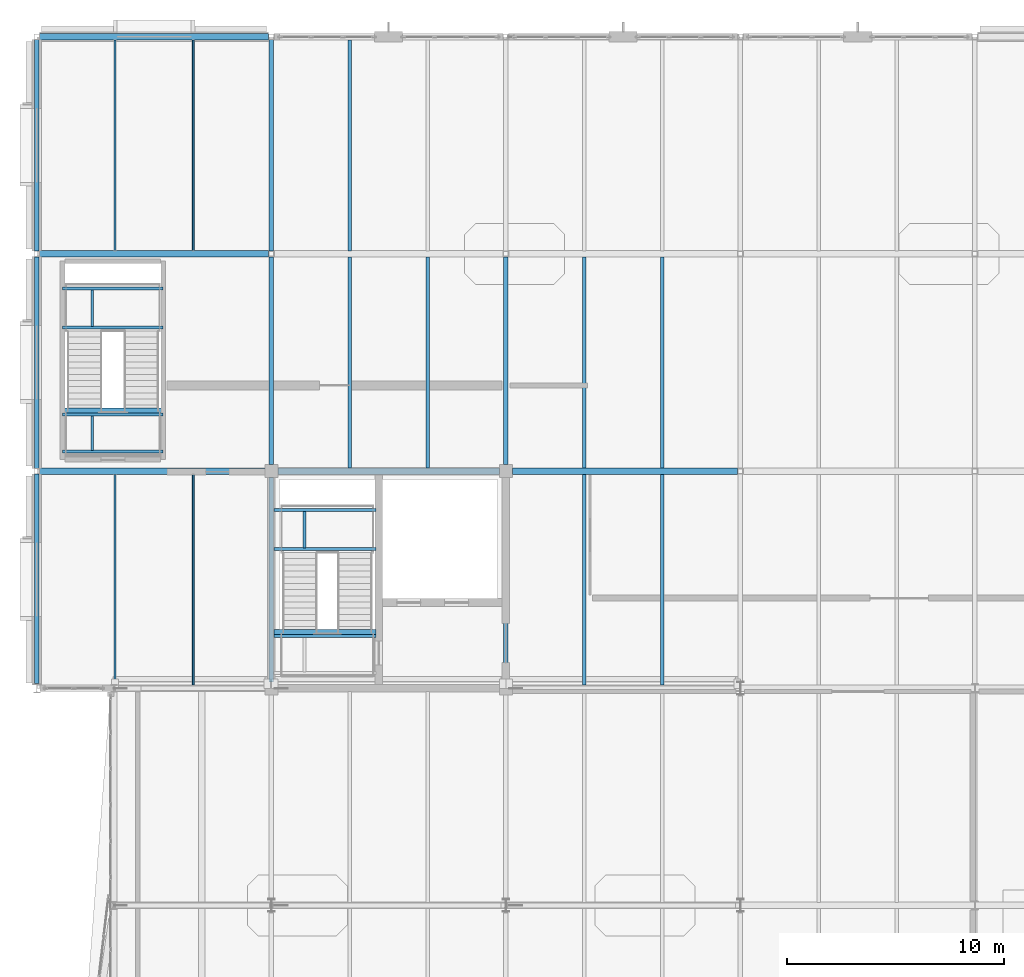
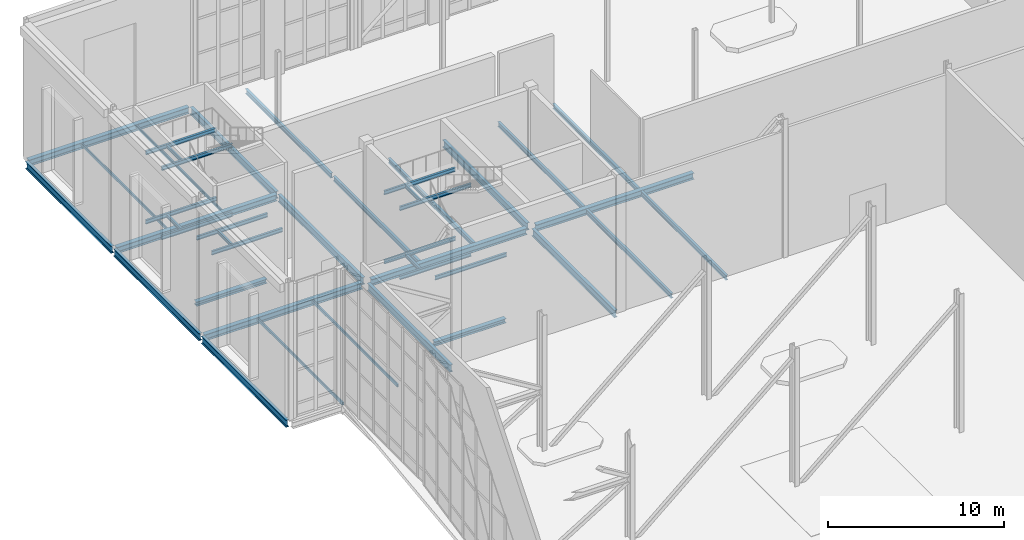
# One storey, part 44 of 100: 42 beams.
"""IFC4 building model written with IfcOpenShell, lengths in metres."""

from ifc_helpers import new_model, si_unit, direction, frame, origin, origin_2d, place, context, subcontext, project, spatial, hollow_rectangle, i_section, extrude, material, material_profile, profile_set, type_object, element, save


model = new_model("IFC4")

# Units and contexts
model_context = context("Model", 3, precision=1e-05, world=origin(), true_north=direction((0.0, 1.0)))
body_context = subcontext(model_context, "Body", "Model", "MODEL_VIEW")
ifc_project = project(units=[si_unit("LENGTHUNIT", "METRE"), si_unit("AREAUNIT", "SQUARE_METRE"), si_unit("VOLUMEUNIT", "CUBIC_METRE"), si_unit("PLANEANGLEUNIT", "RADIAN"), si_unit("MASSUNIT", "GRAM", prefix="KILO")], contexts=[model_context])

# Site, building, storey
site_placement = place(None, origin())
site = spatial("IfcSite", under=ifc_project, at=site_placement, CompositionType="ELEMENT")
building_placement = place(site_placement, origin())
building = spatial("IfcBuilding", under=site, at=building_placement, Name="Tasgan Crest Museum", CompositionType="ELEMENT")
storey_placement = place(building_placement, frame((0.0, 0.0, 14.39990234375)))
storey = spatial("IfcBuildingStorey", under=building, at=storey_placement, Name="L03", CompositionType="ELEMENT", Elevation=14.39990234375)

# Beams
ifc_material_1 = material(Name="Steel S355J2", Category="steel")
ifc_material_profile_1 = material_profile(ifc_material_1, i_section(OverallWidth=0.300048828125, OverallDepth=0.43994140625, WebThickness=0.011474609375, FlangeThickness=0.02099609375, FilletRadius=0.027099609375, at=origin_2d()), Name="HEA 450")
ifc_profile_set_1 = profile_set([ifc_material_profile_1], Name="Steel S355J2")
beam_type_1 = type_object("IfcBeamType", Name="BM-G-HEA450", PredefinedType="BEAM", material=ifc_profile_set_1)
beam_1_placement = place(storey_placement, frame((0.132568359375, 92.0, -0.4599609375), z_axis=(1.0, 0.0, 0.0), x_axis=(0.0, 1.0, 0.0)))
element("IfcBeam", 1, at=beam_1_placement, inside=storey, type_object=beam_type_1, Name="Girder L03 K 0.0-10.8", PredefinedType="BEAM", context=body_context, shape_type="SweptSolid", body=[
    extrude(i_section(OverallWidth=0.300048828125, OverallDepth=0.43994140625, WebThickness=0.011474609375, FlangeThickness=0.02099609375, FilletRadius=0.027099609375, at=origin_2d()), origin(), (0.0, 0.0, 1.0), 10.371337890625),
])
beam_2_placement = place(storey_placement, frame((11.095947265625, 92.0, -0.4599609375), z_axis=(1.0, 0.0, 0.0), x_axis=(0.0, 1.0, 0.0)))
element("IfcBeam", 2, at=beam_2_placement, inside=storey, type_object=beam_type_1, Name="Girder L03 K 10.8-21.6", PredefinedType="BEAM", context=body_context, shape_type="SweptSolid", body=[
    extrude(i_section(OverallWidth=0.300048828125, OverallDepth=0.43994140625, WebThickness=0.011474609375, FlangeThickness=0.02099609375, FilletRadius=0.027099609375, at=origin_2d()), origin(), (0.0, 0.0, 1.0), 10.2080078125),
])
beam_3_placement = place(storey_placement, frame((21.89599609375, 92.0, -0.4599609375), z_axis=(1.0, 0.0, 0.0), x_axis=(0.0, 1.0, 0.0)))
element("IfcBeam", 3, at=beam_3_placement, inside=storey, type_object=beam_type_1, Name="Girder L03 K 21.6-32.4", PredefinedType="BEAM", context=body_context, shape_type="SweptSolid", body=[
    extrude(i_section(OverallWidth=0.300048828125, OverallDepth=0.43994140625, WebThickness=0.011474609375, FlangeThickness=0.02099609375, FilletRadius=0.027099609375, at=origin_2d()), origin(), (0.0, 0.0, 1.0), 10.37158203125),
])
for number, where, z_axis, x_axis, name in (
    (4, (0.132568359375, 102.0, -0.4599609375), (1.0, 0.0, 0.0), (0.0, 1.0, 0.0), "Girder L03 L 0.0-10.8"),
    (5, (0.132568359375, 112.0, -0.4599609375), (1.0, 0.0, 0.0), (0.0, 1.0, 0.0), "Girder L03 M 0.0-10.8"),
):
    element("IfcBeam", number, at=place(storey_placement, frame(where, z_axis=z_axis, x_axis=x_axis)), inside=storey, type_object=beam_type_1, Name=name, PredefinedType="BEAM", context=body_context, shape_type="SweptSolid", body=[
        extrude(i_section(OverallWidth=0.300048828125, OverallDepth=0.43994140625, WebThickness=0.011474609375, FlangeThickness=0.02099609375, FilletRadius=0.027099609375, at=origin_2d()), origin(), (0.0, 0.0, 1.0), 10.534912109375),
    ])
ifc_material_2 = material(Name="Steel S355J2", Category="steel")
ifc_material_profile_2 = material_profile(ifc_material_2, i_section(OverallWidth=0.300048828125, OverallDepth=0.300048828125, WebThickness=0.010986328125, FlangeThickness=0.01904296875, FilletRadius=0.027099609375, at=origin_2d()), Name="HEB 300")
ifc_profile_set_2 = profile_set([ifc_material_profile_2], Name="Steel S355J2")
beam_type_2 = type_object("IfcBeamType", Name="BM-G-HEB300", PredefinedType="BEAM", material=ifc_profile_set_2)
beam_4_placement = place(storey_placement, frame((10.929931640625, 84.550048828125, -0.14990234375), z_axis=(1.0, 0.0, 0.0), x_axis=(0.0, 1.0, 0.0)))
element("IfcBeam", 6, at=beam_4_placement, inside=storey, type_object=beam_type_2, Name="Stair threshold trimmer beam ST-NW-L03", PredefinedType="BEAM", context=body_context, shape_type="SweptSolid", body=[
    extrude(i_section(OverallWidth=0.300048828125, OverallDepth=0.300048828125, WebThickness=0.010986328125, FlangeThickness=0.01904296875, FilletRadius=0.027099609375, at=origin_2d()), origin(), (0.0, 0.0, 1.0), 4.690185546875),
])
beam_5_placement = place(storey_placement, frame((1.179931640625, 94.75, -0.14990234375), z_axis=(1.0, 0.0, 0.0), x_axis=(0.0, 1.0, 0.0)))
element("IfcBeam", 7, at=beam_5_placement, inside=storey, type_object=beam_type_2, Name="Stair threshold trimmer beam ST-GW-L03", PredefinedType="BEAM", context=body_context, shape_type="SweptSolid", body=[
    extrude(i_section(OverallWidth=0.300048828125, OverallDepth=0.300048828125, WebThickness=0.010986328125, FlangeThickness=0.01904296875, FilletRadius=0.027099609375, at=origin_2d()), origin(), (0.0, 0.0, 1.0), 4.64013671875),
])
ifc_material_3 = material(Name="Steel S355J2", Category="steel")
ifc_material_profile_3 = material_profile(ifc_material_3, i_section(OverallWidth=0.199951171875, OverallDepth=0.5, WebThickness=0.01025390625, FlangeThickness=0.01611328125, FilletRadius=0.02099609375, at=origin_2d()), Name="IPE 500")
ifc_profile_set_3 = profile_set([ifc_material_profile_3], Name="Steel S355J2")
beam_type_3 = type_object("IfcBeamType", Name="BM-G-IPE500", PredefinedType="BEAM", material=ifc_profile_set_3)
beam_6_placement = place(storey_placement, frame((0.0, 82.219970703125, -0.489990234375), z_axis=(0.0, 1.0, 0.0), x_axis=(-1.0, 0.0, 0.0)))
element("IfcBeam", 8, at=beam_6_placement, inside=storey, type_object=beam_type_3, Name="Beam L03 1 82.0-92.0", PredefinedType="BEAM", context=body_context, shape_type="SweptSolid", body=[
    extrude(i_section(OverallWidth=0.199951171875, OverallDepth=0.5, WebThickness=0.01025390625, FlangeThickness=0.01611328125, FilletRadius=0.02099609375, at=origin_2d()), origin(), (0.0, 0.0, 1.0), 9.6484375),
])
for number, where, z_axis, x_axis, name in (
    (9, (0.0, 92.131591796875, -0.489990234375), (0.0, 1.0, 0.0), (-1.0, 0.0, 0.0), "Beam L03 1 92.0-102.0"),
    (10, (0.0, 102.131591796875, -0.489990234375), (0.0, 1.0, 0.0), (-1.0, 0.0, 0.0), "Beam L03 1 102.0-112.0"),
):
    element("IfcBeam", number, at=place(storey_placement, frame(where, z_axis=z_axis, x_axis=x_axis)), inside=storey, type_object=beam_type_3, Name=name, PredefinedType="BEAM", context=body_context, shape_type="SweptSolid", body=[
        extrude(i_section(OverallWidth=0.199951171875, OverallDepth=0.5, WebThickness=0.01025390625, FlangeThickness=0.01611328125, FilletRadius=0.02099609375, at=origin_2d()), origin(), (0.0, 0.0, 1.0), 9.73681640625),
    ])
beam_7_placement = place(storey_placement, frame((10.800048828125, 82.294921875, -0.489990234375), z_axis=(0.0, 1.0, 0.0), x_axis=(-1.0, 0.0, 0.0)))
element("IfcBeam", 11, at=beam_7_placement, inside=storey, type_object=beam_type_3, Name="Beam L03 2 82.0-92.0", PredefinedType="BEAM", context=body_context, shape_type="SweptSolid", body=[
    extrude(i_section(OverallWidth=0.199951171875, OverallDepth=0.5, WebThickness=0.01025390625, FlangeThickness=0.01611328125, FilletRadius=0.02099609375, at=origin_2d()), origin(), (0.0, 0.0, 1.0), 9.41015625),
])
beam_8_placement = place(storey_placement, frame((10.800048828125, 92.294921875, -0.489990234375), z_axis=(0.0, 1.0, 0.0), x_axis=(-1.0, 0.0, 0.0)))
element("IfcBeam", 12, at=beam_8_placement, inside=storey, type_object=beam_type_3, Name="Beam L03 2 92.0-102.0", PredefinedType="BEAM", context=body_context, shape_type="SweptSolid", body=[
    extrude(i_section(OverallWidth=0.199951171875, OverallDepth=0.5, WebThickness=0.01025390625, FlangeThickness=0.01611328125, FilletRadius=0.02099609375, at=origin_2d()), origin(), (0.0, 0.0, 1.0), 9.573486328125),
])
beam_9_placement = place(storey_placement, frame((10.800048828125, 102.131591796875, -0.489990234375), z_axis=(0.0, 1.0, 0.0), x_axis=(-1.0, 0.0, 0.0)))
element("IfcBeam", 13, at=beam_9_placement, inside=storey, type_object=beam_type_3, Name="Beam L03 2 102.0-112.0", PredefinedType="BEAM", context=body_context, shape_type="SweptSolid", body=[
    extrude(i_section(OverallWidth=0.199951171875, OverallDepth=0.5, WebThickness=0.01025390625, FlangeThickness=0.01611328125, FilletRadius=0.02099609375, at=origin_2d()), origin(), (0.0, 0.0, 1.0), 9.73681640625),
])
beam_10_placement = place(storey_placement, frame((21.60009765625, 82.294921875, -0.489990234375), z_axis=(0.0, 1.0, 0.0), x_axis=(-1.0, 0.0, 0.0)))
element("IfcBeam", 14, at=beam_10_placement, inside=storey, type_object=beam_type_3, Name="Beam L03 3 82.0-92.0", PredefinedType="BEAM", context=body_context, shape_type="SweptSolid", body=[
    extrude(i_section(OverallWidth=0.199951171875, OverallDepth=0.5, WebThickness=0.01025390625, FlangeThickness=0.01611328125, FilletRadius=0.02099609375, at=origin_2d()), origin(), (0.0, 0.0, 1.0), 9.41015625),
])
beam_11_placement = place(storey_placement, frame((21.60009765625, 92.294921875, -0.489990234375), z_axis=(0.0, 1.0, 0.0), x_axis=(-1.0, 0.0, 0.0)))
element("IfcBeam", 15, at=beam_11_placement, inside=storey, type_object=beam_type_3, Name="Beam L03 3 92.0-102.0", PredefinedType="BEAM", context=body_context, shape_type="SweptSolid", body=[
    extrude(i_section(OverallWidth=0.199951171875, OverallDepth=0.5, WebThickness=0.01025390625, FlangeThickness=0.01611328125, FilletRadius=0.02099609375, at=origin_2d()), origin(), (0.0, 0.0, 1.0), 9.573486328125),
])
ifc_material_4 = material(Name="Steel S355J2", Category="steel")
ifc_material_profile_4 = material_profile(ifc_material_4, i_section(OverallWidth=0.159912109375, OverallDepth=0.330078125, WebThickness=0.007568359375, FlangeThickness=0.011474609375, FilletRadius=0.01806640625, at=origin_2d()), Name="IPE 330")
ifc_profile_set_4 = profile_set([ifc_material_profile_4], Name="Steel S355J2")
beam_type_4 = type_object("IfcBeamType", Name="BM-J-IPE330", PredefinedType="JOIST", material=ifc_profile_set_4)
for number, where, z_axis, x_axis, name in (
    (16, (14.39990234375, 92.14501953125, -0.40478515625), (0.0, 1.0, 0.0), (-1.0, 0.0, 0.0), "Secondary joist L03 X=14.4 Y=92.0-102.0"),
    (17, (18.0, 92.14501953125, -0.40478515625), (0.0, 1.0, 0.0), (-1.0, 0.0, 0.0), "Secondary joist L03 X=18.0 Y=92.0-102.0"),
    (18, (14.39990234375, 102.14501953125, -0.40478515625), (0.0, 1.0, 0.0), (-1.0, 0.0, 0.0), "Secondary joist L03 X=14.4 Y=102.0-112.0"),
    (19, (25.199951171875, 82.14501953125, -0.40478515625), (0.0, 1.0, 0.0), (-1.0, 0.0, 0.0), "Secondary joist L03 X=25.2 Y=82.0-92.0"),
    (20, (28.800048828125, 82.14501953125, -0.40478515625), (0.0, 1.0, 0.0), (-1.0, 0.0, 0.0), "Secondary joist L03 X=28.8 Y=82.0-92.0"),
    (21, (25.199951171875, 92.14501953125, -0.40478515625), (0.0, 1.0, 0.0), (-1.0, 0.0, 0.0), "Secondary joist L03 X=25.2 Y=92.0-102.0"),
    (22, (28.800048828125, 92.14501953125, -0.40478515625), (0.0, 1.0, 0.0), (-1.0, 0.0, 0.0), "Secondary joist L03 X=28.8 Y=92.0-102.0"),
):
    element("IfcBeam", number, at=place(storey_placement, frame(where, z_axis=z_axis, x_axis=x_axis)), inside=storey, type_object=beam_type_4, Name=name, PredefinedType="JOIST", context=body_context, shape_type="SweptSolid", body=[
        extrude(i_section(OverallWidth=0.159912109375, OverallDepth=0.330078125, WebThickness=0.007568359375, FlangeThickness=0.011474609375, FilletRadius=0.01806640625, at=origin_2d()), origin(), (0.0, 0.0, 1.0), 9.7099609375),
    ])
ifc_material_5 = material(Name="Steel S355J2", Category="steel")
ifc_material_profile_5 = material_profile(ifc_material_5, hollow_rectangle(XDim=0.10009765625, YDim=0.199951171875, WallThickness=0.008056640625, InnerFilletRadius=0.008056640625, OuterFilletRadius=0.01611328125, at=origin_2d()), Name="RHS 200x100x8")
ifc_profile_set_5 = profile_set([ifc_material_profile_5], Name="Steel S355J2")
beam_type_5 = type_object("IfcBeamType", Name="BM-J-RHS200", PredefinedType="JOIST", material=ifc_profile_set_5)
for number, where, z_axis, x_axis, name in (
    (23, (3.60009765625, 82.14501953125, -0.33984375), (0.0, 1.0, 0.0), (-1.0, 0.0, 0.0), "Secondary joist L03 X=3.6 Y=82.0-92.0"),
    (24, (7.199951171875, 82.14501953125, -0.33984375), (0.0, 1.0, 0.0), (-1.0, 0.0, 0.0), "Secondary joist L03 X=7.2 Y=82.0-92.0"),
    (25, (3.60009765625, 102.14501953125, -0.33984375), (0.0, 1.0, 0.0), (-1.0, 0.0, 0.0), "Secondary joist L03 X=3.6 Y=102.0-112.0"),
    (26, (7.199951171875, 102.14501953125, -0.33984375), (0.0, 1.0, 0.0), (-1.0, 0.0, 0.0), "Secondary joist L03 X=7.2 Y=102.0-112.0"),
):
    element("IfcBeam", number, at=place(storey_placement, frame(where, z_axis=z_axis, x_axis=x_axis)), inside=storey, type_object=beam_type_5, Name=name, PredefinedType="JOIST", context=body_context, shape_type="SweptSolid", body=[
        extrude(hollow_rectangle(XDim=0.10009765625, YDim=0.199951171875, WallThickness=0.008056640625, InnerFilletRadius=0.008056640625, OuterFilletRadius=0.01611328125, at=origin_2d()), origin(), (0.0, 0.0, 1.0), 9.7099609375),
    ])
ifc_material_6 = material(Name="Steel S355J2", Category="steel")
ifc_material_profile_6 = material_profile(ifc_material_6, i_section(OverallWidth=0.1201171875, OverallDepth=0.239990234375, WebThickness=0.006103515625, FlangeThickness=0.009765625, FilletRadius=0.014892578125, at=origin_2d()), Name="IPE 240")
ifc_profile_set_6 = profile_set([ifc_material_profile_6], Name="Steel S355J2")
beam_type_6 = type_object("IfcBeamType", Name="BM-LAND-IPE240", PredefinedType="BEAM", material=ifc_profile_set_6)
for number, where, z_axis, x_axis, name in (
    (27, (12.324951171875, 88.465087890625, 2.080078125), (0.0, 1.0, 0.0), (-1.0, 0.0, 0.0), "Stair half-landing crossbeam ST-NW-L03 T1"),
    (28, (12.324951171875, 88.465087890625, 6.880126953125), (0.0, 1.0, 0.0), (-1.0, 0.0, 0.0), "Stair half-landing crossbeam ST-NW-L03 T2"),
    (29, (2.550048828125, 98.6650390625, 2.080078125), (0.0, 1.0, 0.0), (-1.0, 0.0, 0.0), "Stair half-landing crossbeam ST-GW-L03 T1"),
):
    element("IfcBeam", number, at=place(storey_placement, frame(where, z_axis=z_axis, x_axis=x_axis)), inside=storey, type_object=beam_type_6, Name=name, PredefinedType="BEAM", context=body_context, shape_type="SweptSolid", body=[
        extrude(i_section(OverallWidth=0.1201171875, OverallDepth=0.239990234375, WebThickness=0.006103515625, FlangeThickness=0.009765625, FilletRadius=0.014892578125, at=origin_2d()), origin(), (0.0, 0.0, 1.0), 1.679931640625),
    ])
beam_12_placement = place(storey_placement, frame((2.550048828125, 92.9599609375, 4.47998046875), z_axis=(0.0, 1.0, 0.0), x_axis=(-1.0, 0.0, 0.0)))
element("IfcBeam", 30, at=beam_12_placement, inside=storey, type_object=beam_type_6, Name="Stair intermediate landing crossbeam ST-GW-L03", PredefinedType="BEAM", context=body_context, shape_type="SweptSolid", body=[
    extrude(i_section(OverallWidth=0.1201171875, OverallDepth=0.239990234375, WebThickness=0.006103515625, FlangeThickness=0.009765625, FilletRadius=0.014892578125, at=origin_2d()), origin(), (0.0, 0.0, 1.0), 1.580078125),
])
beam_13_placement = place(storey_placement, frame((2.550048828125, 98.6650390625, 6.880126953125), z_axis=(0.0, 1.0, 0.0), x_axis=(-1.0, 0.0, 0.0)))
element("IfcBeam", 31, at=beam_13_placement, inside=storey, type_object=beam_type_6, Name="Stair half-landing crossbeam ST-GW-L03 T2", PredefinedType="BEAM", context=body_context, shape_type="SweptSolid", body=[
    extrude(i_section(OverallWidth=0.1201171875, OverallDepth=0.239990234375, WebThickness=0.006103515625, FlangeThickness=0.009765625, FilletRadius=0.014892578125, at=origin_2d()), origin(), (0.0, 0.0, 1.0), 1.679931640625),
])
ifc_material_7 = material(Name="Steel S355J2", Category="steel")
ifc_material_profile_7 = material_profile(ifc_material_7, i_section(OverallWidth=0.135009765625, OverallDepth=0.27001953125, WebThickness=0.006591796875, FlangeThickness=0.01025390625, FilletRadius=0.014892578125, at=origin_2d()), Name="IPE 270")
ifc_profile_set_7 = profile_set([ifc_material_profile_7], Name="Steel S355J2")
beam_type_7 = type_object("IfcBeamType", Name="BM-LAND-IPE270", PredefinedType="BEAM", material=ifc_profile_set_7)
for number, where, z_axis, x_axis, name in (
    (32, (10.929931640625, 88.405029296875, 2.065185546875), (1.0, 0.0, 0.0), (0.0, 1.0, 0.0), "Stair half-landing beam ST-NW-L03 T1F"),
    (33, (10.929931640625, 90.205078125, 2.065185546875), (1.0, 0.0, 0.0), (0.0, 1.0, 0.0), "Stair half-landing beam ST-NW-L03 T1B"),
    (34, (10.929931640625, 84.39990234375, 4.465087890625), (1.0, 0.0, 0.0), (0.0, 1.0, 0.0), "Stair intermediate landing beam ST-NW-L03 B"),
    (35, (10.929931640625, 88.405029296875, 6.864990234375), (1.0, 0.0, 0.0), (0.0, 1.0, 0.0), "Stair half-landing beam ST-NW-L03 T2F"),
    (36, (10.929931640625, 90.205078125, 6.864990234375), (1.0, 0.0, 0.0), (0.0, 1.0, 0.0), "Stair half-landing beam ST-NW-L03 T2B"),
):
    element("IfcBeam", number, at=place(storey_placement, frame(where, z_axis=z_axis, x_axis=x_axis)), inside=storey, type_object=beam_type_7, Name=name, PredefinedType="BEAM", context=body_context, shape_type="SweptSolid", body=[
        extrude(i_section(OverallWidth=0.135009765625, OverallDepth=0.27001953125, WebThickness=0.006591796875, FlangeThickness=0.01025390625, FilletRadius=0.014892578125, at=origin_2d()), origin(), (0.0, 0.0, 1.0), 4.690185546875),
    ])
for number, where, z_axis, x_axis, name in (
    (37, (1.179931640625, 98.60498046875, 2.065185546875), (1.0, 0.0, 0.0), (0.0, 1.0, 0.0), "Stair half-landing beam ST-GW-L03 T1F"),
    (38, (1.179931640625, 100.405029296875, 2.065185546875), (1.0, 0.0, 0.0), (0.0, 1.0, 0.0), "Stair half-landing beam ST-GW-L03 T1B"),
    (39, (1.179931640625, 92.89990234375, 4.465087890625), (1.0, 0.0, 0.0), (0.0, 1.0, 0.0), "Stair intermediate landing beam ST-GW-L03 F"),
    (40, (1.179931640625, 94.60009765625, 4.465087890625), (1.0, 0.0, 0.0), (0.0, 1.0, 0.0), "Stair intermediate landing beam ST-GW-L03 B"),
    (41, (1.179931640625, 98.60498046875, 6.864990234375), (1.0, 0.0, 0.0), (0.0, 1.0, 0.0), "Stair half-landing beam ST-GW-L03 T2F"),
    (42, (1.179931640625, 100.405029296875, 6.864990234375), (1.0, 0.0, 0.0), (0.0, 1.0, 0.0), "Stair half-landing beam ST-GW-L03 T2B"),
):
    element("IfcBeam", number, at=place(storey_placement, frame(where, z_axis=z_axis, x_axis=x_axis)), inside=storey, type_object=beam_type_7, Name=name, PredefinedType="BEAM", context=body_context, shape_type="SweptSolid", body=[
        extrude(i_section(OverallWidth=0.135009765625, OverallDepth=0.27001953125, WebThickness=0.006591796875, FlangeThickness=0.01025390625, FilletRadius=0.014892578125, at=origin_2d()), origin(), (0.0, 0.0, 1.0), 4.64013671875),
    ])

save(model, "model.ifc")
